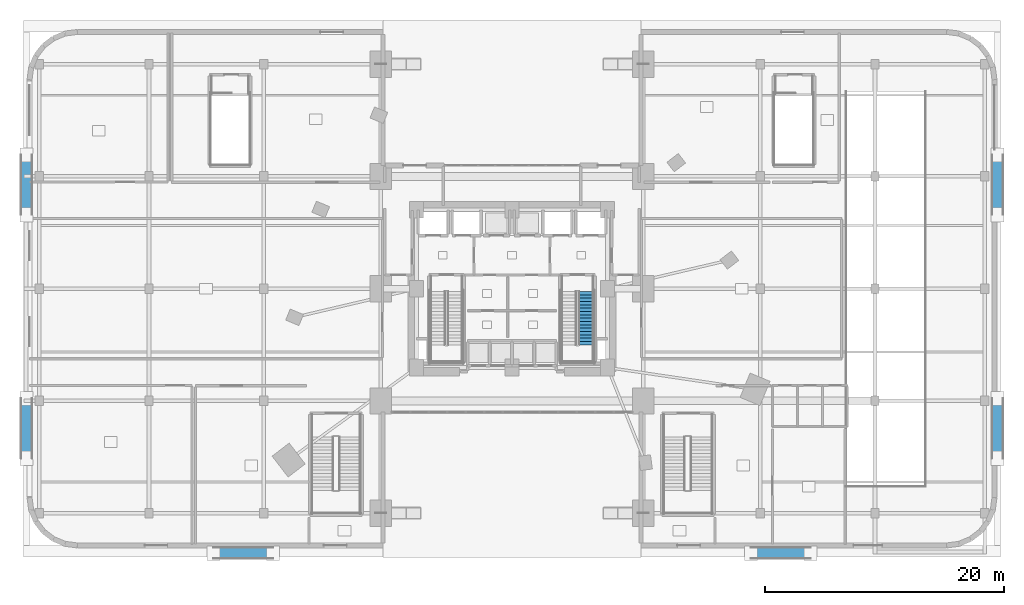
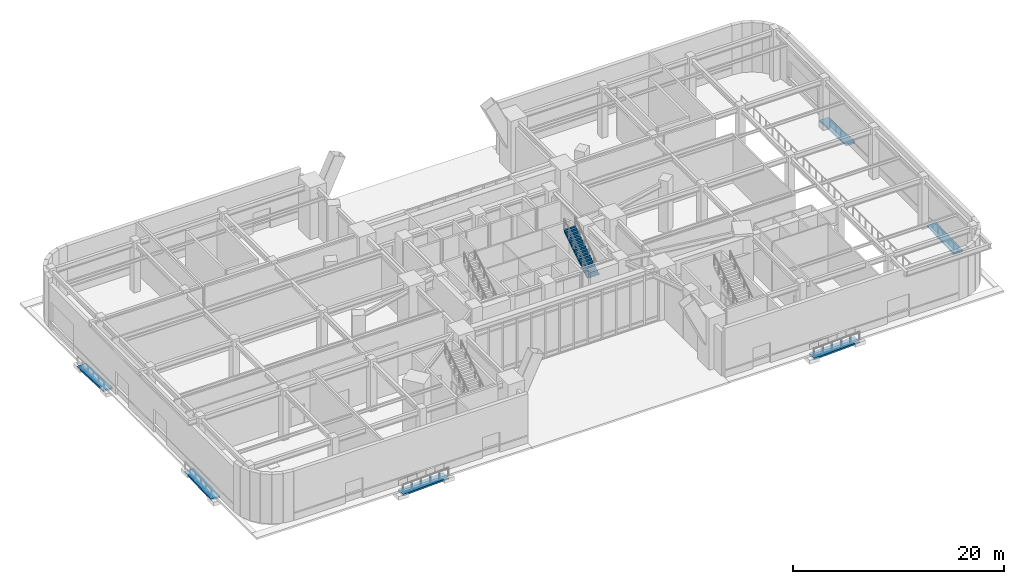
# One storey, part 22 of 27: 6 ramp flights, 1 stair flight, 7 elements without a shape of their own.
"""IFC4 building model written with IfcOpenShell, lengths in metres."""

import ifcopenshell
import ifcopenshell.guid

model = None  # the IFC model being written
_history = None  # IfcOwnerHistory: only IFC2X3 demands one
_inside = {}  # id of a spatial element -> (the spatial element, [elements in it])
_under = {}  # id of a project, library or spatial element -> (it, [spatial elements below it])
_declared = {}  # id of a project -> (the project, [libraries it declares])
_typed = {}  # id of a type object -> (the type object, [elements of that type])
_made_of = {}  # id of a material, layer set ... -> (it, [elements and type objects made of it])


def new_model(schema):
    """Start an empty IFC model of exactly this schema.

    Asked for "IFC4X3", IfcOpenShell would pick the latest addendum, in which some entities
    have other attributes; the version numbers below select the first issue.
    IFC2X3 requires an IfcOwnerHistory on every rooted entity: one is made here for all.
    """
    global model, _history
    if schema == "IFC4X3":
        model = ifcopenshell.file(schema_version=(4, 3, 0, 0))
    else:
        model = ifcopenshell.file(schema=schema)
    _inside.clear()
    _under.clear()
    _declared.clear()
    _typed.clear()
    _made_of.clear()
    _history = None
    if model.schema == "IFC2X3":
        org = make("IfcOrganization", Name="unknown")
        user = make(
            "IfcPersonAndOrganization",
            ThePerson=make("IfcPerson", FamilyName="unknown"),
            TheOrganization=org,
        )
        app = make(
            "IfcApplication",
            ApplicationDeveloper=org,
            Version="unknown",
            ApplicationFullName="unknown",
            ApplicationIdentifier="unknown",
        )
        _history = make(
            "IfcOwnerHistory",
            OwningUser=user,
            OwningApplication=app,
            ChangeAction="ADDED",
            CreationDate=0,
        )
    return model


def make(cls, **values):
    """One entity of the class cls with the attributes given. An attribute that is None is left unset."""
    return model.create_entity(
        cls, **{name: value for name, value in values.items() if value is not None}
    )


def rooted(cls, **values):
    """An entity with a GlobalId (a new one), such as an element, a storey or a relation."""
    return make(cls, GlobalId=ifcopenshell.guid.new(), OwnerHistory=_history, **values)


def si_unit(unit_type, name, prefix=None):
    """IfcSIUnit, for example si_unit("LENGTHUNIT", "METRE", prefix="MILLI")."""
    return make("IfcSIUnit", UnitType=unit_type, Prefix=prefix, Name=name)


def assignment(units):
    """IfcUnitAssignment: the units of a project."""
    return None if units is None else make("IfcUnitAssignment", Units=units)


def point(xyz):
    """IfcCartesianPoint."""
    return None if xyz is None else make("IfcCartesianPoint", Coordinates=xyz)


def direction(xyz):
    """IfcDirection."""
    return None if xyz is None else make("IfcDirection", DirectionRatios=xyz)


def frame(location, z_axis=None, x_axis=None):
    """IfcAxis2Placement3D, a coordinate frame: its origin and axes. An axis left out is left unset."""
    return make(
        "IfcAxis2Placement3D",
        Location=point(location),
        Axis=direction(z_axis),
        RefDirection=direction(x_axis),
    )


def origin():
    """The frame at (0, 0, 0) with its axes left unset."""
    return frame((0.0, 0.0, 0.0))


def place(relative_to, where):
    """IfcLocalPlacement: puts the frame where relative to a parent placement (None: the world)."""
    return make(
        "IfcLocalPlacement", PlacementRelTo=relative_to, RelativePlacement=where
    )


def context(
    kind, dimensions, precision=None, world=None, true_north=None, identifier=None
):
    """IfcGeometricRepresentationContext, for example the 3D "Model" context."""
    return make(
        "IfcGeometricRepresentationContext",
        ContextIdentifier=identifier,
        ContextType=kind,
        CoordinateSpaceDimension=dimensions,
        Precision=precision,
        WorldCoordinateSystem=world,
        TrueNorth=true_north,
    )


def subcontext(parent, identifier, kind, view, scale=None):
    """IfcGeometricRepresentationSubContext, for example "Body" below "Model"."""
    return make(
        "IfcGeometricRepresentationSubContext",
        ContextIdentifier=identifier,
        ContextType=kind,
        ParentContext=parent,
        TargetScale=scale,
        TargetView=view,
    )


def project(units=None, contexts=None):
    """IfcProject with its units and contexts."""
    return rooted(
        "IfcProject",
        Name="project",
        RepresentationContexts=contexts,
        UnitsInContext=assignment(units),
    )


def spatial(cls, under=None, at=None, **own):
    """A site, building, storey or space (cls), placed at a placement, below another one or the project."""
    s = rooted(cls, ObjectPlacement=at, **own)
    if under is not None:
        _under.setdefault(under.id(), (under, []))[1].append(s)
    return s


def polyline(points):
    """IfcPolyline through the points."""
    return make("IfcPolyline", Points=[point(p) for p in points])


def outline(outer, holes=None, kind="AREA"):
    """IfcArbitraryClosedProfileDef: a profile drawn as a closed curve; with holes, ...WithVoids."""
    if holes is None:
        return make("IfcArbitraryClosedProfileDef", ProfileType=kind, OuterCurve=outer)
    return make(
        "IfcArbitraryProfileDefWithVoids",
        ProfileType=kind,
        OuterCurve=outer,
        InnerCurves=holes,
    )


def extrude(swept, where, along, depth):
    """IfcExtrudedAreaSolid: the profile swept, set in the frame where, extruded along a direction by depth."""
    return make(
        "IfcExtrudedAreaSolid",
        SweptArea=swept,
        Position=where,
        ExtrudedDirection=direction(along),
        Depth=depth,
    )


def shape(context_of_items, identifier, shape_type, items):
    """IfcShapeRepresentation: the items that make up one representation, for example the "Body"."""
    return make(
        "IfcShapeRepresentation",
        ContextOfItems=context_of_items,
        RepresentationIdentifier=identifier,
        RepresentationType=shape_type,
        Items=items,
    )


def material(Name=None, Category=None):
    """IfcMaterial."""
    return make("IfcMaterial", Name=Name, Category=Category)


def layer(
    of_material, thickness, ventilated=None, Name=None, Category=None, Priority=None
):
    """IfcMaterialLayer: one layer of a wall or slab, of a material (None: an air gap)."""
    return make(
        "IfcMaterialLayer",
        Material=of_material,
        LayerThickness=thickness,
        IsVentilated=ventilated,
        Name=Name,
        Category=Category,
        Priority=Priority,
    )


def layer_set(layers, Name=None):
    """IfcMaterialLayerSet."""
    return make("IfcMaterialLayerSet", MaterialLayers=layers, LayerSetName=Name)


def made_of(thing, what):
    """Note that an element or type object is made of a material, layer set ...; save() writes the relation."""
    if what is not None:
        _made_of.setdefault(what.id(), (what, []))[1].append(thing)
    return thing


def type_object(cls, material=None, **own):
    """A type object (cls), such as IfcWallType, which elements share."""
    return made_of(rooted(cls, **own), material)


def element(
    cls,
    number,
    at=None,
    inside=None,
    cuts=None,
    type_object=None,
    material=None,
    context=None,
    identifier="Body",
    shape_type=None,
    held_by="IfcProductDefinitionShape",
    body=None,
    shapes=None,
    **own,
):
    """One element of the class cls, such as IfcWall. Its Tag is "e" and its number.

    at: its placement. inside: the storey or other place that contains it. cuts: it is an
    opening in that element (IfcRelVoidsElement). A single representation is given by context,
    identifier, shape_type and body (its items); several are given by shapes. held_by: the class
    of the entity that holds the representations. save() writes the other relations.
    """
    e = rooted(cls, Tag="e%d" % number, ObjectPlacement=at, **own)
    if body is not None:
        shapes = [shape(context, identifier, shape_type, body)]
    if shapes is not None:
        e.Representation = make(held_by, Representations=shapes)
    if inside is not None:
        _inside.setdefault(inside.id(), (inside, []))[1].append(e)
    if cuts is not None:
        rooted(
            "IfcRelVoidsElement", RelatingBuildingElement=cuts, RelatedOpeningElement=e
        )
    if type_object is not None:
        _typed.setdefault(type_object.id(), (type_object, []))[1].append(e)
    return made_of(e, material)


def aggregate(whole, parts):
    """IfcRelAggregates: a whole, such as a stair, and the parts it consists of."""
    return rooted("IfcRelAggregates", RelatingObject=whole, RelatedObjects=parts)


def save(model, path):
    """Write the relations noted so far, then the file.

    IfcRelAggregates (storeys below a building ...), IfcRelContainedInSpatialStructure (elements
    in a storey), IfcRelDefinesByType, IfcRelAssociatesMaterial and IfcRelDeclares: one each for
    every whole, place, type object, material and project.
    """
    for whole, parts in _under.values():
        aggregate(whole, parts)
    for where, things in _inside.values():
        rooted(
            "IfcRelContainedInSpatialStructure",
            RelatedElements=things,
            RelatingStructure=where,
        )
    for kind, things in _typed.values():
        rooted("IfcRelDefinesByType", RelatedObjects=things, RelatingType=kind)
    for what, things in _made_of.values():
        rooted("IfcRelAssociatesMaterial", RelatedObjects=things, RelatingMaterial=what)
    for by, libraries in _declared.values():
        rooted("IfcRelDeclares", RelatingContext=by, RelatedDefinitions=libraries)
    model.write(path)


model = new_model("IFC4")

# Units and contexts
model_context = context("Model", 3, precision=1e-05, world=origin(), true_north=direction((0.0, 1.0)))
body_context = subcontext(model_context, "Body", "Model", "MODEL_VIEW")
ifc_project = project(units=[si_unit("LENGTHUNIT", "METRE"), si_unit("AREAUNIT", "SQUARE_METRE"), si_unit("VOLUMEUNIT", "CUBIC_METRE"), si_unit("PLANEANGLEUNIT", "RADIAN"), si_unit("MASSUNIT", "GRAM", prefix="KILO")], contexts=[model_context])

# Site, building, storey
site_placement = place(None, origin())
site = spatial("IfcSite", under=ifc_project, at=site_placement, CompositionType="ELEMENT")
building_placement = place(site_placement, origin())
building = spatial("IfcBuilding", under=site, at=building_placement, Name="Ndelora Gate Hotel", CompositionType="ELEMENT")
storey_placement = place(building_placement, origin())
storey = spatial("IfcBuildingStorey", under=building, at=storey_placement, Name="L00", CompositionType="ELEMENT", Elevation=0.0)

# Stair, stair flight
ifc_material = material(Name="Precast concrete C40/50", Category="concrete")
stair_type = type_object("IfcStairType", Name="STR-DOG-CORE", PredefinedType="HALF_TURN_STAIR", material=ifc_material)
stair_placement = place(storey_placement, origin())
stair = element("IfcStair", 1, at=stair_placement, inside=storey, type_object=stair_type, Name="L00 Protected Core Exit Stair ST5", PredefinedType="HALF_TURN_STAIR")
stair_flight_type = type_object("IfcStairFlightType", Name="STF-PRECAST", PredefinedType="STRAIGHT", material=ifc_material)
stair_flight_placement = place(storey_placement, frame((6.2099609375, -4.7099609375, 3.0), z_axis=(0.0, 0.0, 1.0), x_axis=(0.0, 1.0, 0.0)))
stair_flight = element("IfcStairFlight", 2, at=stair_flight_placement, type_object=stair_flight_type, Name="ST5 flight 2", NumberOfRisers=17, NumberOfTreads=16, PredefinedType="STRAIGHT", RiserHeight=0.176470588, TreadLength=0.28, context=body_context, shape_type="SweptSolid", body=[
    extrude(outline(polyline([(-0.00048828125, 0.0), (-0.00048828125, 0.176513671875), (0.0, 0.176513671875), (0.280029296875, 0.176513671875), (0.280029296875, 0.35302734375), (0.56005859375, 0.35302734375), (0.56005859375, 0.529296875), (0.840087890625, 0.529296875), (0.840087890625, 0.705810546875), (1.1201171875, 0.705810546875), (1.1201171875, 0.88232421875), (1.39990234375, 0.88232421875), (1.39990234375, 1.058837890625), (1.679931640625, 1.058837890625), (1.679931640625, 1.2353515625), (1.9599609375, 1.2353515625), (1.9599609375, 1.411865234375), (2.239990234375, 1.411865234375), (2.239990234375, 1.588134765625), (2.52001953125, 1.588134765625), (2.52001953125, 1.7646484375), (2.800048828125, 1.7646484375), (2.800048828125, 1.941162109375), (3.080078125, 1.941162109375), (3.080078125, 2.11767578125), (3.360107421875, 2.11767578125), (3.360107421875, 2.294189453125), (3.639892578125, 2.294189453125), (3.639892578125, 2.470703125), (3.919921875, 2.470703125), (3.919921875, 2.64697265625), (4.199951171875, 2.64697265625), (4.199951171875, 2.823486328125), (4.47998046875, 2.823486328125), (4.47998046875, 3.0), (4.480712890625, 3.0), (4.480712890625, 2.820068359375), (4.47998046875, 2.646240234375), (0.28125, 0.0), (-0.00048828125, 0.0)])), frame((0.0, 0.64013671875, 0.0), z_axis=(0.0, -1.0, 0.0), x_axis=(1.0, 0.0, 0.0)), (0.0, 0.0, 1.0), 1.280029296875),
])
aggregate(stair, [stair_flight])

# Ramp, ramp flight
ifc_layer_1 = layer(ifc_material, 0.199951171875)
ifc_layer_set_1 = layer_set([ifc_layer_1], Name="Precast concrete C40/50")
ramp_type = type_object("IfcRampType", Name="RMP-ACC-1800", PredefinedType="STRAIGHT_RUN_RAMP", material=ifc_layer_set_1)
ramp_1_placement = place(storey_placement, origin())
ramp_1 = element("IfcRamp", 3, at=ramp_1_placement, inside=storey, type_object=ramp_type, Name="L00 Accessible Step-Free Forecourt Arrival Ramp R4", PredefinedType="STRAIGHT_RUN_RAMP")
ifc_layer_2 = layer(ifc_material, 0.199951171875)
ifc_layer_set_2 = layer_set([ifc_layer_2], Name="Precast concrete C40/50")
ramp_flight_type = type_object("IfcRampFlightType", Name="RMF-ACC-200", PredefinedType="STRAIGHT", material=ifc_layer_set_2)
ramp_flight_1_placement = place(storey_placement, frame((-40.14990234375, -14.199951171875, -0.409912109375), z_axis=(0.0, -0.04195521306, 0.999119492402), x_axis=(0.0, 0.999119492402, 0.04195521306)))
ramp_flight_1 = element("IfcRampFlight", 4, at=ramp_flight_1_placement, type_object=ramp_flight_type, Name="L00 Accessible Arrival Ramp Flight R4", PredefinedType="STRAIGHT", context=body_context, shape_type="SweptSolid", body=[
    extrude(outline(polyline([(0.0, 0.0), (5.004406417875739, 0.0), (5.004406417875739, 1.0000000000000002), (0.0, 1.0000000000000002), (0.0, 0.0)])), origin(), (0.0, 0.0, -1.0), 0.199951171875),
])
aggregate(ramp_1, [ramp_flight_1])

ramp_2_placement = place(storey_placement, origin())
ramp_2 = element("IfcRamp", 5, at=ramp_2_placement, inside=storey, type_object=ramp_type, Name="L00 Accessible Step-Free Forecourt Arrival Ramp R5", PredefinedType="STRAIGHT_RUN_RAMP")
ramp_flight_2_placement = place(storey_placement, frame((41.14990234375, -14.199951171875, -0.409912109375), z_axis=(0.0, -0.04195521306, 0.999119492402), x_axis=(0.0, 0.999119492402, 0.04195521306)))
ramp_flight_2 = element("IfcRampFlight", 6, at=ramp_flight_2_placement, type_object=ramp_flight_type, Name="L00 Accessible Arrival Ramp Flight R5", PredefinedType="STRAIGHT", context=body_context, shape_type="SweptSolid", body=[
    extrude(outline(polyline([(0.0, 0.0), (5.004406417875739, 0.0), (5.004406417875739, 1.0000000000000002), (0.0, 1.0000000000000002), (0.0, 0.0)])), origin(), (0.0, 0.0, -1.0), 0.199951171875),
])
aggregate(ramp_2, [ramp_flight_2])

ramp_3_placement = place(storey_placement, origin())
ramp_3 = element("IfcRamp", 7, at=ramp_3_placement, inside=storey, type_object=ramp_type, Name="L00 Accessible Step-Free Forecourt Arrival Ramp R6", PredefinedType="STRAIGHT_RUN_RAMP")
ramp_flight_3_placement = place(storey_placement, frame((-41.14990234375, 11.199951171875, -0.409912109375), z_axis=(0.0, 0.04195521306, 0.999119492402), x_axis=(0.0, -0.999119492402, 0.04195521306)))
ramp_flight_3 = element("IfcRampFlight", 8, at=ramp_flight_3_placement, type_object=ramp_flight_type, Name="L00 Accessible Arrival Ramp Flight R6", PredefinedType="STRAIGHT", context=body_context, shape_type="SweptSolid", body=[
    extrude(outline(polyline([(0.0, 0.0), (5.004406417875739, 0.0), (5.004406417875739, 1.0000000000000002), (0.0, 1.0000000000000002), (0.0, 0.0)])), origin(), (0.0, 0.0, -1.0), 0.199951171875),
])
aggregate(ramp_3, [ramp_flight_3])

ramp_4_placement = place(storey_placement, origin())
ramp_4 = element("IfcRamp", 9, at=ramp_4_placement, inside=storey, type_object=ramp_type, Name="L00 Accessible Step-Free Forecourt Arrival Ramp R7", PredefinedType="STRAIGHT_RUN_RAMP")
ramp_flight_4_placement = place(storey_placement, frame((40.14990234375, 11.199951171875, -0.409912109375), z_axis=(0.0, 0.04195521306, 0.999119492402), x_axis=(0.0, -0.999119492402, 0.04195521306)))
ramp_flight_4 = element("IfcRampFlight", 10, at=ramp_flight_4_placement, type_object=ramp_flight_type, Name="L00 Accessible Arrival Ramp Flight R7", PredefinedType="STRAIGHT", context=body_context, shape_type="SweptSolid", body=[
    extrude(outline(polyline([(0.0, 0.0), (5.004406417875739, 0.0), (5.004406417875739, 1.0000000000000002), (0.0, 1.0000000000000002), (0.0, 0.0)])), origin(), (0.0, 0.0, -1.0), 0.199951171875),
])
aggregate(ramp_4, [ramp_flight_4])

ramp_5_placement = place(storey_placement, origin())
ramp_5 = element("IfcRamp", 11, at=ramp_5_placement, inside=storey, type_object=ramp_type, Name="L00 Accessible Step-Free Forecourt Arrival Ramp R8", PredefinedType="STRAIGHT_RUN_RAMP")
ramp_flight_5_placement = place(storey_placement, frame((-25.0, -22.64990234375, -0.409912109375), z_axis=(-0.04195521306, 0.0, 0.999119492402), x_axis=(0.999119492402, 0.0, 0.04195521306)))
ramp_flight_5 = element("IfcRampFlight", 12, at=ramp_flight_5_placement, type_object=ramp_flight_type, Name="L00 Accessible Arrival Ramp Flight R8", PredefinedType="STRAIGHT", context=body_context, shape_type="SweptSolid", body=[
    extrude(outline(polyline([(0.0, 0.0), (5.004406417875739, 0.0), (5.004406417875739, 1.0000000000000002), (0.0, 1.0000000000000002), (0.0, 0.0)])), origin(), (0.0, 0.0, -1.0), 0.199951171875),
])
aggregate(ramp_5, [ramp_flight_5])

ramp_6_placement = place(storey_placement, origin())
ramp_6 = element("IfcRamp", 13, at=ramp_6_placement, inside=storey, type_object=ramp_type, Name="L00 Accessible Step-Free Forecourt Arrival Ramp R9", PredefinedType="STRAIGHT_RUN_RAMP")
ramp_flight_6_placement = place(storey_placement, frame((20.0, -22.64990234375, -0.409912109375), z_axis=(-0.04195521306, 0.0, 0.999119492402), x_axis=(0.999119492402, 0.0, 0.04195521306)))
ramp_flight_6 = element("IfcRampFlight", 14, at=ramp_flight_6_placement, type_object=ramp_flight_type, Name="L00 Accessible Arrival Ramp Flight R9", PredefinedType="STRAIGHT", context=body_context, shape_type="SweptSolid", body=[
    extrude(outline(polyline([(0.0, 0.0), (5.004406417875739, 0.0), (5.004406417875739, 1.0000000000000002), (0.0, 1.0000000000000002), (0.0, 0.0)])), origin(), (0.0, 0.0, -1.0), 0.199951171875),
])
aggregate(ramp_6, [ramp_flight_6])

save(model, "model.ifc")
